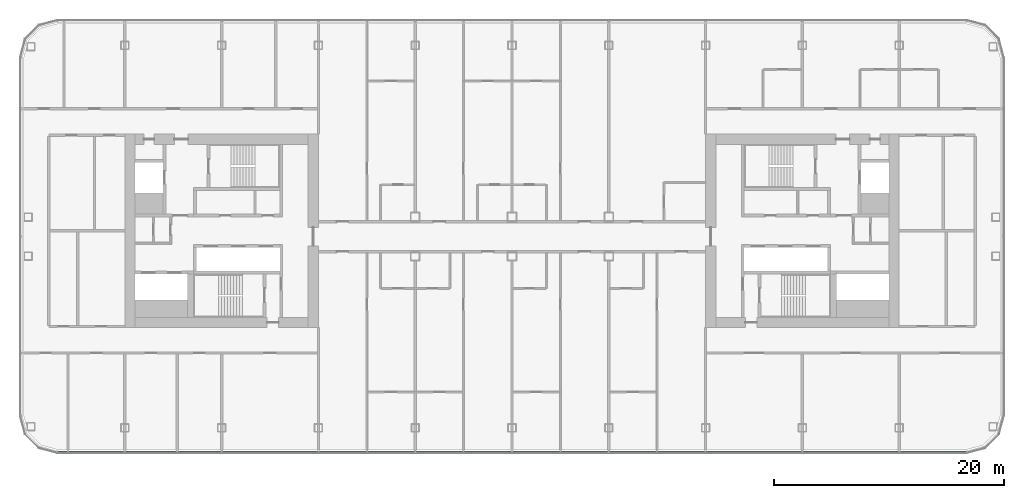
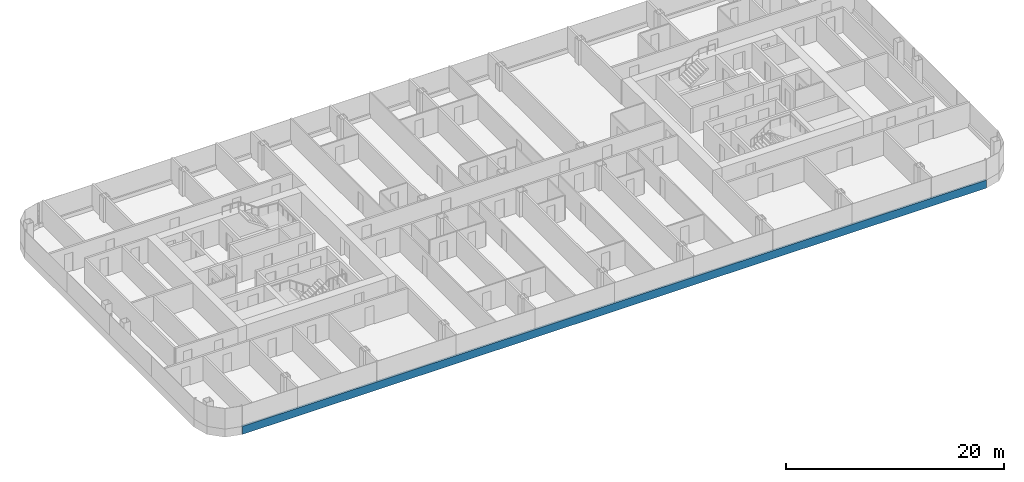
# One storey, part 4 of 26: 1 member, 1 element without a shape of its own.
"""IFC4 building model written with IfcOpenShell, lengths in metres."""

from ifc_helpers import new_model, si_unit, direction, frame, origin, origin_2d, place, context, subcontext, project, spatial, rectangle, extrude, material, layer, layer_set, material_profile, profile_set, type_object, element, aggregate, save


model = new_model("IFC4")

# Units and contexts
model_context = context("Model", 3, precision=1e-05, world=origin(), true_north=direction((0.0, 1.0)))
body_context = subcontext(model_context, "Body", "Model", "MODEL_VIEW")
ifc_project = project(units=[si_unit("LENGTHUNIT", "METRE"), si_unit("AREAUNIT", "SQUARE_METRE"), si_unit("VOLUMEUNIT", "CUBIC_METRE"), si_unit("PLANEANGLEUNIT", "RADIAN"), si_unit("MASSUNIT", "GRAM", prefix="KILO")], contexts=[model_context])

# Site, building, storey
site_placement = place(None, origin())
site = spatial("IfcSite", under=ifc_project, at=site_placement, CompositionType="ELEMENT")
building_placement = place(site_placement, origin())
building = spatial("IfcBuilding", under=site, at=building_placement, Name="Hakoniwa Tower and Hamabe Station Hall", CompositionType="ELEMENT")
storey_placement = place(building_placement, frame((0.0, 0.0, 159.800048828125)))
storey = spatial("IfcBuildingStorey", under=building, at=storey_placement, Name="L45", CompositionType="ELEMENT", Elevation=159.800048828125)

# Curtain wall, member
ifc_material_1 = material(Name="Dark low-e laminated glass", Category="glass")
ifc_layer = layer(ifc_material_1, 0.199951171875)
ifc_layer_set = layer_set([ifc_layer], Name="CW-1 UNITISED GUEST")
curtain_wall_type = type_object("IfcCurtainWallType", Name="CW-1 UNITISED GUEST", PredefinedType="NOTDEFINED", material=ifc_layer_set)
curtain_wall_placement = place(storey_placement, origin())
curtain_wall = element("IfcCurtainWall", 1, at=curtain_wall_placement, inside=storey, type_object=curtain_wall_type, Name="CW-1 curtain wall", PredefinedType="NOTDEFINED")
ifc_material_2 = material(Name="Aluminium 6063-T5 black anodised", Category="aluminium")
ifc_material_profile = material_profile(ifc_material_2, rectangle(XDim=0.199951171875, YDim=0.89990234375, at=origin_2d()), Name="CW SLAB-EDGE BAND 900X200")
ifc_profile_set = profile_set([ifc_material_profile], Name="Aluminium 6063-T5 black anodised")
member_type = type_object("IfcMemberType", Name="CW SLAB-EDGE BAND 900X200", PredefinedType="USERDEFINED", material=ifc_profile_set)
member_placement = place(storey_placement, frame((-39.439453125, -19.199951171875, -0.10009765625), z_axis=(1.0, 0.0, 0.0), x_axis=(0.0, 1.0, 0.0)))
member = element("IfcMember", 2, at=member_placement, type_object=member_type, Name="CW-1 transom", ObjectType="TRANSOM", PredefinedType="USERDEFINED", context=body_context, shape_type="SweptSolid", body=[
    extrude(rectangle(XDim=0.199951171875, YDim=0.89990234375, at=origin_2d()), origin(), (0.0, 0.0, 1.0), 78.87890625),
])
aggregate(curtain_wall, [member])

save(model, "model.ifc")
